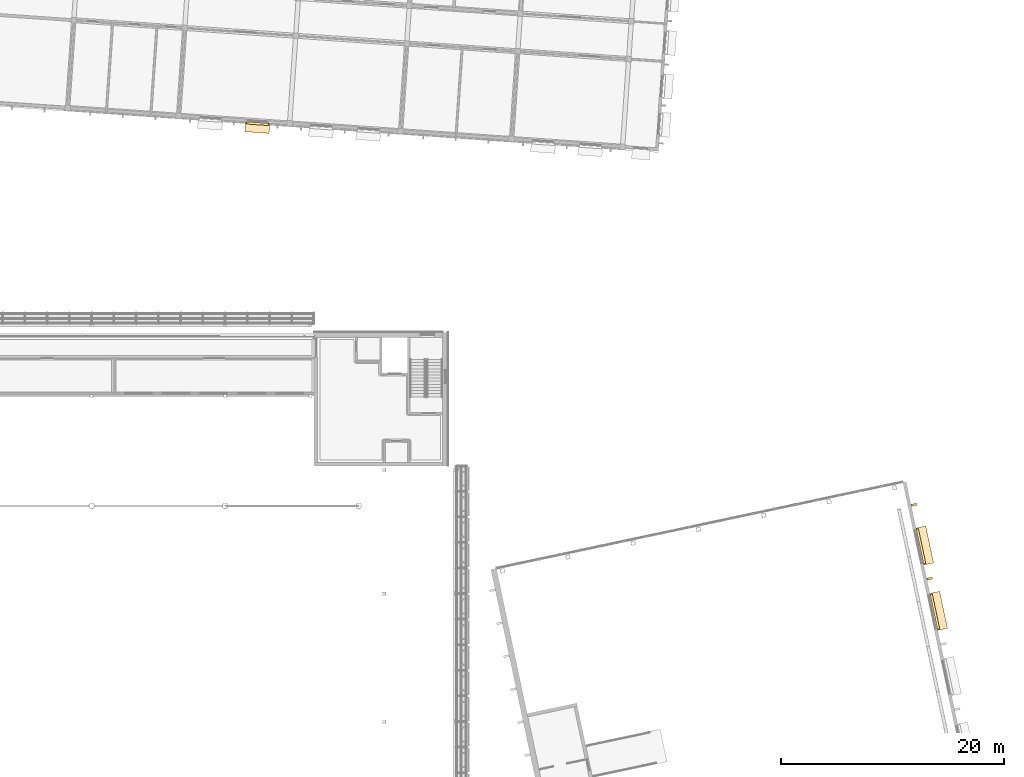
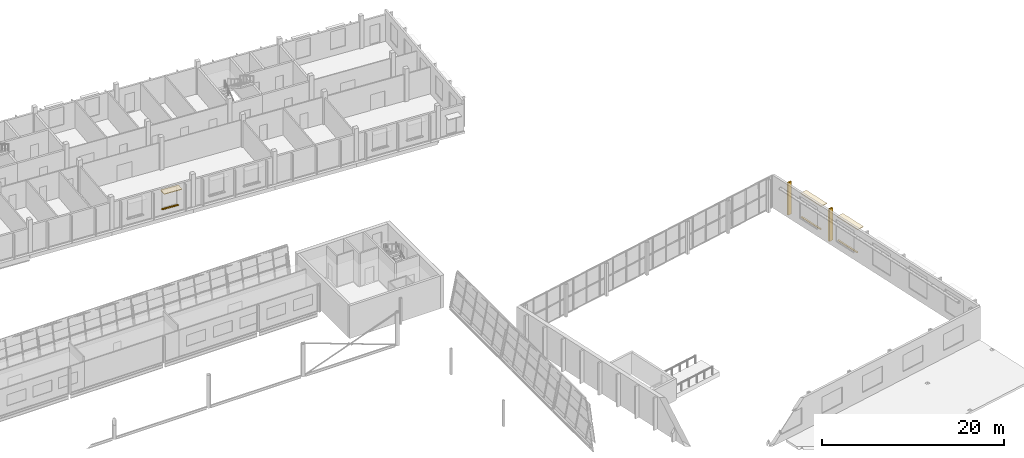
# One storey, part 92 of 95: 6 coverings, 2 shading devices.
"""IFC4 building model written with IfcOpenShell, lengths in metres."""

from ifc_helpers import new_model, si_unit, direction, frame, origin, place, context, subcontext, project, spatial, polyline, outline, extrude, material, layer, layer_set, type_object, element, save


model = new_model("IFC4")

# Units and contexts
model_context = context("Model", 3, precision=1e-05, world=origin(), true_north=direction((0.0, 1.0)))
body_context = subcontext(model_context, "Body", "Model", "MODEL_VIEW")
ifc_project = project(units=[si_unit("LENGTHUNIT", "METRE"), si_unit("AREAUNIT", "SQUARE_METRE"), si_unit("VOLUMEUNIT", "CUBIC_METRE"), si_unit("PLANEANGLEUNIT", "RADIAN"), si_unit("MASSUNIT", "GRAM", prefix="KILO")], contexts=[model_context])

# Site, building, storey
site_placement = place(None, origin())
site = spatial("IfcSite", under=ifc_project, at=site_placement, CompositionType="ELEMENT")
building_placement = place(site_placement, origin())
building = spatial("IfcBuilding", under=site, at=building_placement, Name="Windward Yard Aquatics Centre", CompositionType="ELEMENT")
storey_placement = place(building_placement, frame((0.0, 0.0, 9.39990234375)))
storey = spatial("IfcBuildingStorey", under=building, at=storey_placement, Name="L02", CompositionType="ELEMENT", Elevation=9.39990234375)

# Shading devices
ifc_material_1 = material(Name="Aluminium fin, powder coated", Category="aluminium")
shading_device_type = type_object("IfcShadingDeviceType", Name="D vertical fin 200x500", PredefinedType="USERDEFINED", material=ifc_material_1)
shading_device_1_placement = place(storey_placement, origin())
element("IfcShadingDevice", 1, at=shading_device_1_placement, inside=storey, type_object=shading_device_type, Name="Vertical fin D.W.E.L02.5.1", ObjectType="FIN", PredefinedType="USERDEFINED", context=body_context, shape_type="SweptSolid", body=[
    extrude(outline(polyline([(195.04736328125, 73.904541015625), (195.53662109375, 74.00830078125), (195.578125, 73.812744140625), (195.089111328125, 73.708740234375), (195.04736328125, 73.904541015625)])), origin(), (0.0, 0.0, 1.0), 4.35009765625),
])
shading_device_2_placement = place(storey_placement, origin())
element("IfcShadingDevice", 2, at=shading_device_2_placement, inside=storey, type_object=shading_device_type, Name="Vertical fin D.W.E.L02.6.1", ObjectType="FIN", PredefinedType="USERDEFINED", context=body_context, shape_type="SweptSolid", body=[
    extrude(outline(polyline([(193.63671875, 80.541259765625), (194.125732421875, 80.645263671875), (194.16748046875, 80.44970703125), (193.67822265625, 80.345703125), (193.63671875, 80.541259765625)])), origin(), (0.0, 0.0, 1.0), 4.35009765625),
])

# Coverings
ifc_material_2 = material(Name="Aluminium composite hood, powder coated", Category="aluminium")
ifc_layer_1 = layer(ifc_material_2, 0.080078125)
ifc_layer_set_1 = layer_set([ifc_layer_1], Name="D window hood aluminium 3400x900")
covering_type_1 = type_object("IfcCoveringType", Name="D window hood aluminium 3400x900", PredefinedType="CLADDING", material=ifc_layer_set_1)
covering_1_placement = place(storey_placement, frame((0.0, 0.0, 3.9501953125)))
element("IfcCovering", 3, at=covering_1_placement, inside=storey, type_object=covering_type_1, Name="Window hood DW2010", PredefinedType="CLADDING", context=body_context, shape_type="SweptSolid", body=[
    extrude(outline(polyline([(195.33837890625, 72.53515625), (196.21875, 72.72216796875), (196.92578125, 69.396484375), (196.04541015625, 69.20947265625), (195.33837890625, 72.53515625)])), origin(), (0.0, 0.0, 1.0), 0.079833984375),
])
covering_2_placement = place(storey_placement, frame((0.0, 0.0, 3.9501953125)))
element("IfcCovering", 4, at=covering_2_placement, inside=storey, type_object=covering_type_1, Name="Window hood DW2011", PredefinedType="CLADDING", context=body_context, shape_type="SweptSolid", body=[
    extrude(outline(polyline([(194.091064453125, 78.40380859375), (194.971435546875, 78.591064453125), (195.67822265625, 75.265380859375), (194.7978515625, 75.078125), (194.091064453125, 78.40380859375)])), origin(), (0.0, 0.0, 1.0), 0.079833984375),
])
ifc_material_3 = material(Name="Limestone sill", Category="masonry")
ifc_layer_2 = layer(ifc_material_3, 0.080078125)
ifc_layer_set_2 = layer_set([ifc_layer_2], Name="D window sill stone 3200x200")
covering_type_2 = type_object("IfcCoveringType", Name="D window sill stone 3200x200", PredefinedType="CLADDING", material=ifc_layer_set_2)
covering_3_placement = place(storey_placement, frame((0.0, 0.0, 0.820068359375)))
element("IfcCovering", 5, at=covering_3_placement, inside=storey, type_object=covering_type_2, Name="Window sill DW2010", PredefinedType="CLADDING", context=body_context, shape_type="SweptSolid", body=[
    extrude(outline(polyline([(195.359375, 72.437255859375), (195.554931640625, 72.478759765625), (196.22021484375, 69.348876953125), (196.024658203125, 69.30712890625), (195.359375, 72.437255859375)])), origin(), (0.0, 0.0, 1.0), 0.080078125),
])
covering_4_placement = place(storey_placement, frame((0.0, 0.0, 0.820068359375)))
element("IfcCovering", 6, at=covering_4_placement, inside=storey, type_object=covering_type_2, Name="Window sill DW2011", PredefinedType="CLADDING", context=body_context, shape_type="SweptSolid", body=[
    extrude(outline(polyline([(194.11181640625, 78.30615234375), (194.307373046875, 78.34765625), (194.972900390625, 75.217529296875), (194.777099609375, 75.176025390625), (194.11181640625, 78.30615234375)])), origin(), (0.0, 0.0, 1.0), 0.080078125),
])
ifc_layer_3 = layer(ifc_material_2, 0.080078125)
ifc_layer_set_3 = layer_set([ifc_layer_3], Name="W window hood aluminium 2200x900")
covering_type_3 = type_object("IfcCoveringType", Name="W window hood aluminium 2200x900", PredefinedType="CLADDING", material=ifc_layer_set_3)
covering_5_placement = place(storey_placement, frame((0.0, 0.0, 3.35009765625)))
element("IfcCovering", 7, at=covering_5_placement, inside=storey, type_object=covering_type_3, Name="Window hood W2502", PredefinedType="CLADDING", context=body_context, shape_type="SweptSolid", body=[
    extrude(outline(polyline([(133.75341796875, 114.027099609375), (133.816162109375, 114.925048828125), (136.0107421875, 114.771484375), (135.947998046875, 113.873779296875), (133.75341796875, 114.027099609375)])), origin(), (0.0, 0.0, 1.0), 0.080078125),
])
ifc_layer_4 = layer(ifc_material_3, 0.080078125)
ifc_layer_set_4 = layer_set([ifc_layer_4], Name="W window sill stone 2000x200")
covering_type_4 = type_object("IfcCoveringType", Name="W window sill stone 2000x200", PredefinedType="CLADDING", material=ifc_layer_set_4)
covering_6_placement = place(storey_placement, frame((0.0, 0.0, 0.820068359375)))
element("IfcCovering", 8, at=covering_6_placement, inside=storey, type_object=covering_type_4, Name="Window sill W2502", PredefinedType="CLADDING", context=body_context, shape_type="SweptSolid", body=[
    extrude(outline(polyline([(133.90185546875, 114.718505859375), (133.916015625, 114.91796875), (135.910888671875, 114.778564453125), (135.89697265625, 114.5791015625), (133.90185546875, 114.718505859375)])), origin(), (0.0, 0.0, 1.0), 0.080078125),
])

save(model, "model.ifc")
